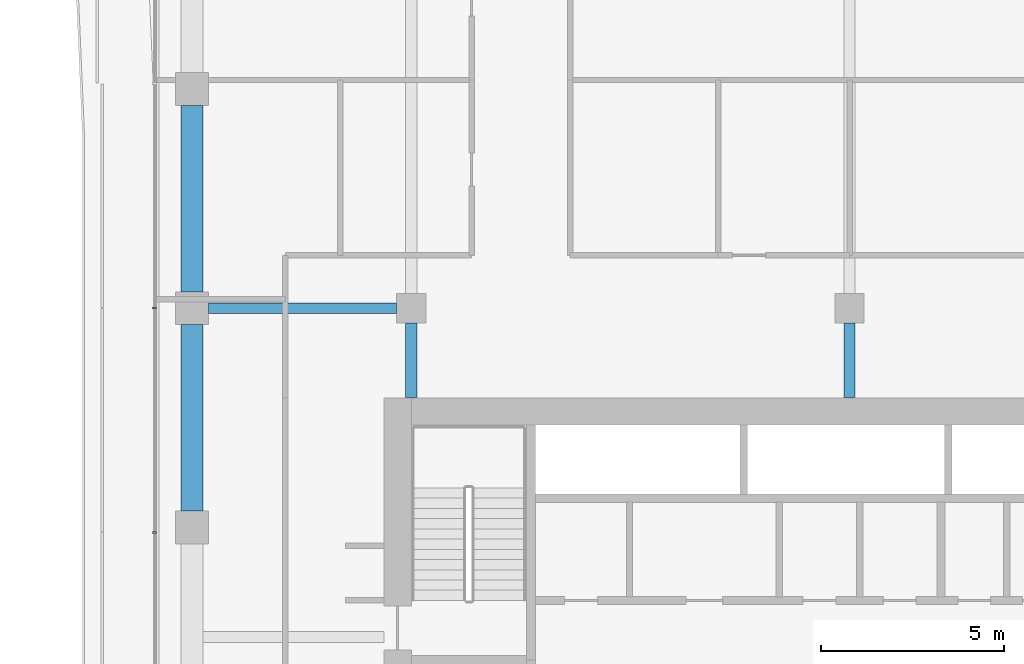
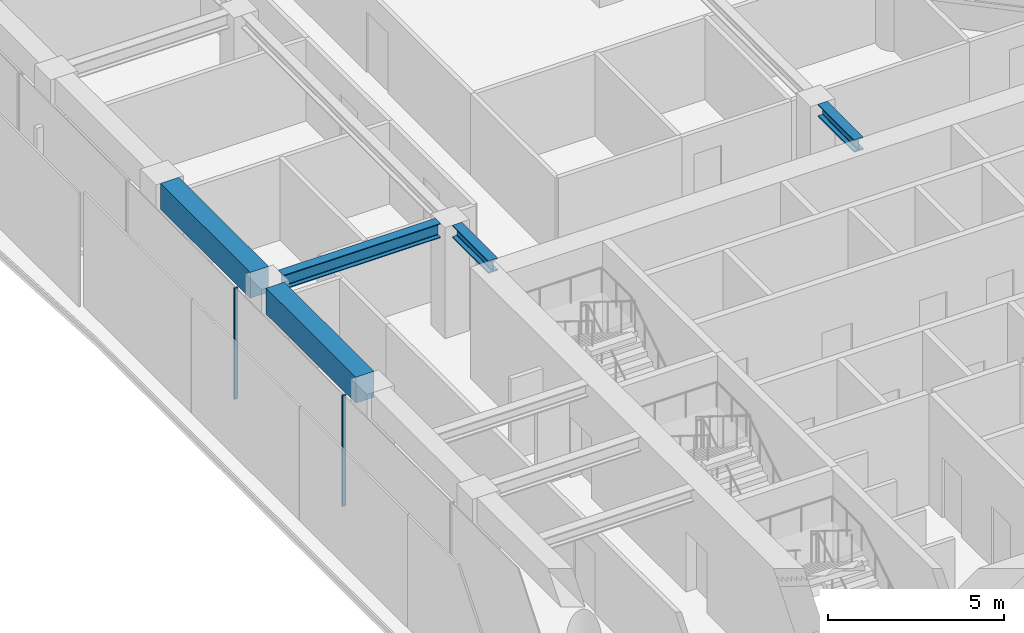
# One storey, part 4 of 24: 5 beams, 2 members, 1 element without a shape of its own.
"""IFC4 building model written with IfcOpenShell, lengths in metres."""

from ifc_helpers import new_model, si_unit, direction, frame, origin, origin_2d, place, context, subcontext, project, spatial, rectangle, i_section, extrude, material, layer, layer_set, material_profile, profile_set, type_object, element, aggregate, save


model = new_model("IFC4")

# Units and contexts
model_context = context("Model", 3, precision=1e-05, world=origin(), true_north=direction((0.0, 1.0)))
body_context = subcontext(model_context, "Body", "Model", "MODEL_VIEW")
ifc_project = project(units=[si_unit("LENGTHUNIT", "METRE"), si_unit("AREAUNIT", "SQUARE_METRE"), si_unit("VOLUMEUNIT", "CUBIC_METRE"), si_unit("PLANEANGLEUNIT", "RADIAN"), si_unit("MASSUNIT", "GRAM", prefix="KILO")], contexts=[model_context])

# Site, building, storey
site_placement = place(None, origin())
site = spatial("IfcSite", under=ifc_project, at=site_placement, CompositionType="ELEMENT")
building_placement = place(site_placement, origin())
building = spatial("IfcBuilding", under=site, at=building_placement, Name="Welwitschia Terrace Campus", CompositionType="ELEMENT")
storey_placement = place(building_placement, frame((0.0, 0.0, 100.39990234375)))
storey = spatial("IfcBuildingStorey", under=building, at=storey_placement, Name="L22", CompositionType="ELEMENT", Elevation=100.39990234375)

# Beams
ifc_material_1 = material(Name="Steel S355", Category="steel")
ifc_material_profile_1 = material_profile(ifc_material_1, i_section(OverallWidth=0.306884765625, OverallDepth=0.431884765625, WebThickness=0.02099609375, FlangeThickness=0.0400390625, FilletRadius=0.027099609375, at=origin_2d()))
ifc_profile_set_1 = profile_set([ifc_material_profile_1], Name="Steel S355")
beam_type_1 = type_object("IfcBeamType", Name="Interior girder HE 400 M", PredefinedType="BEAM", material=ifc_profile_set_1)
for number, where, z_axis, x_axis, name in (
    (1, (6.0, 25.551025390625, 3.634033203125), (0.0, 1.0, 0.0), (-1.0, 0.0, 0.0), "Girder GB3"),
    (2, (18.0, 25.551025390625, 3.634033203125), (0.0, 1.0, 0.0), (-1.0, 0.0, 0.0), "Girder GB3"),
):
    element("IfcBeam", number, at=place(storey_placement, frame(where, z_axis=z_axis, x_axis=x_axis)), inside=storey, type_object=beam_type_1, Name=name, PredefinedType="BEAM", context=body_context, shape_type="SweptSolid", body=[
        extrude(i_section(OverallWidth=0.306884765625, OverallDepth=0.431884765625, WebThickness=0.02099609375, FlangeThickness=0.0400390625, FilletRadius=0.027099609375, at=origin_2d()), origin(), (0.0, 0.0, 1.0), 2.048583984375),
    ])

# Curtain wall, members
ifc_material_2 = material(Name="Bronze anodised aluminium", Category="aluminium")
ifc_layer = layer(ifc_material_2, 0.1201171875)
ifc_layer_set = layer_set([ifc_layer], Name="Bronze anodised aluminium")
curtain_wall_type = type_object("IfcCurtainWallType", Name="Curtain wall CW2 tower 6000", PredefinedType="NOTDEFINED", material=ifc_layer_set)
curtain_wall_placement = place(storey_placement, origin())
curtain_wall = element("IfcCurtainWall", 3, at=curtain_wall_placement, inside=storey, type_object=curtain_wall_type, Name="CW L22.11.0", PredefinedType="NOTDEFINED")
ifc_material_3 = material(Name="Bronze anodised aluminium", Category="aluminium")
ifc_material_profile_2 = material_profile(ifc_material_3, rectangle(XDim=0.1201171875, YDim=0.06005859375, at=origin_2d()))
ifc_profile_set_2 = profile_set([ifc_material_profile_2], Name="Bronze anodised aluminium")
member_type = type_object("IfcMemberType", Name="Mullion 60x120", PredefinedType="MULLION", material=ifc_profile_set_2)
member_1_placement = place(storey_placement, frame((-1.030029296875, 28.01025390625, 0.0), z_axis=(0.0, 0.0, 1.0), x_axis=(1.0, 0.0, 0.0)))
member_1 = element("IfcMember", 4, at=member_1_placement, type_object=member_type, Name="Mullion L22.11.0.7", PredefinedType="MULLION", context=body_context, shape_type="SweptSolid", body=[
    extrude(rectangle(XDim=0.1201171875, YDim=0.06005859375, at=origin_2d()), origin(), (0.0, 0.0, 1.0), 3.85009765625),
])
member_2_placement = place(storey_placement, frame((-1.030029296875, 21.86474609375, 0.0), z_axis=(0.0, 0.0, 1.0), x_axis=(1.0, 0.0, 0.0)))
member_2 = element("IfcMember", 5, at=member_2_placement, type_object=member_type, Name="Mullion L22.11.0.8", PredefinedType="MULLION", context=body_context, shape_type="SweptSolid", body=[
    extrude(rectangle(XDim=0.1201171875, YDim=0.06005859375, at=origin_2d()), origin(), (0.0, 0.0, 1.0), 3.85009765625),
])
aggregate(curtain_wall, [member_1, member_2])

# Beams
ifc_material_4 = material(Name="Steel S355", Category="steel")
ifc_material_profile_3 = material_profile(ifc_material_4, i_section(OverallWidth=0.300048828125, OverallDepth=0.5, WebThickness=0.014404296875, FlangeThickness=0.028076171875, FilletRadius=0.027099609375, at=origin_2d()))
ifc_profile_set_3 = profile_set([ifc_material_profile_3], Name="Steel S355")
beam_type_2 = type_object("IfcBeamType", Name="Primary beam HE 500 B", PredefinedType="BEAM", material=ifc_profile_set_3)
beam_placement = place(storey_placement, frame((0.450439453125, 28.0, 3.60009765625), z_axis=(1.0, 0.0, 0.0), x_axis=(0.0, 1.0, 0.0)))
element("IfcBeam", 6, at=beam_placement, inside=storey, type_object=beam_type_2, Name="Primary beam PB3", PredefinedType="BEAM", context=body_context, shape_type="SweptSolid", body=[
    extrude(i_section(OverallWidth=0.300048828125, OverallDepth=0.5, WebThickness=0.014404296875, FlangeThickness=0.028076171875, FilletRadius=0.027099609375, at=origin_2d()), origin(), (0.0, 0.0, 1.0), 5.149169921875),
])
ifc_material_5 = material(Name="Concrete C60/75", Category="concrete")
ifc_material_profile_4 = material_profile(ifc_material_5, rectangle(XDim=0.60009765625, YDim=0.89990234375, at=origin_2d()))
ifc_profile_set_4 = profile_set([ifc_material_profile_4], Name="Concrete C60/75")
beam_type_3 = type_object("IfcBeamType", Name="Ring spandrel 600x900", PredefinedType="SPANDREL", material=ifc_profile_set_4)
for number, where, z_axis, x_axis, name in (
    (7, (0.0, 33.549560546875, 3.400146484375), (0.0, -1.0, 0.0), (1.0, 0.0, 0.0), "Spandrel SP2"),
    (8, (0.0, 27.549560546875, 3.400146484375), (0.0, -1.0, 0.0), (1.0, 0.0, 0.0), "Spandrel SP2"),
):
    element("IfcBeam", number, at=place(storey_placement, frame(where, z_axis=z_axis, x_axis=x_axis)), inside=storey, type_object=beam_type_3, Name=name, PredefinedType="SPANDREL", context=body_context, shape_type="SweptSolid", body=[
        extrude(rectangle(XDim=0.60009765625, YDim=0.89990234375, at=origin_2d()), origin(), (0.0, 0.0, 1.0), 5.09912109375),
    ])

save(model, "model.ifc")
